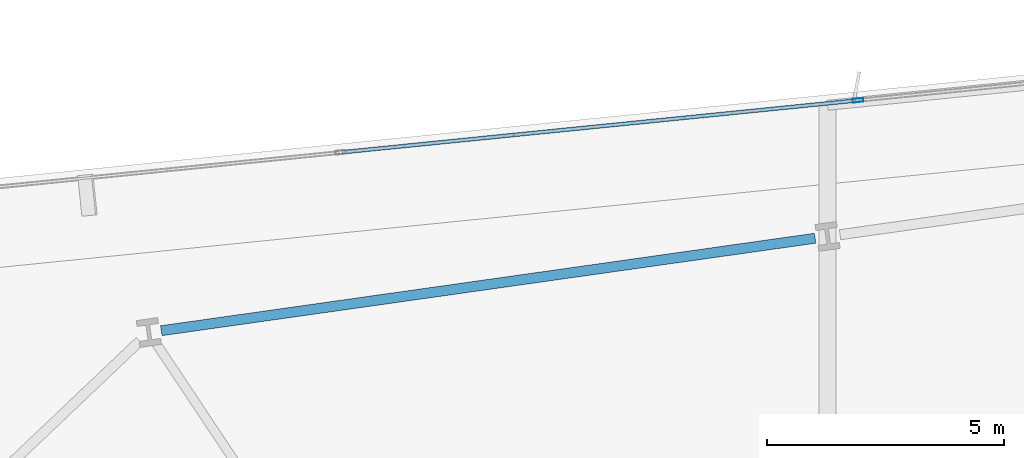
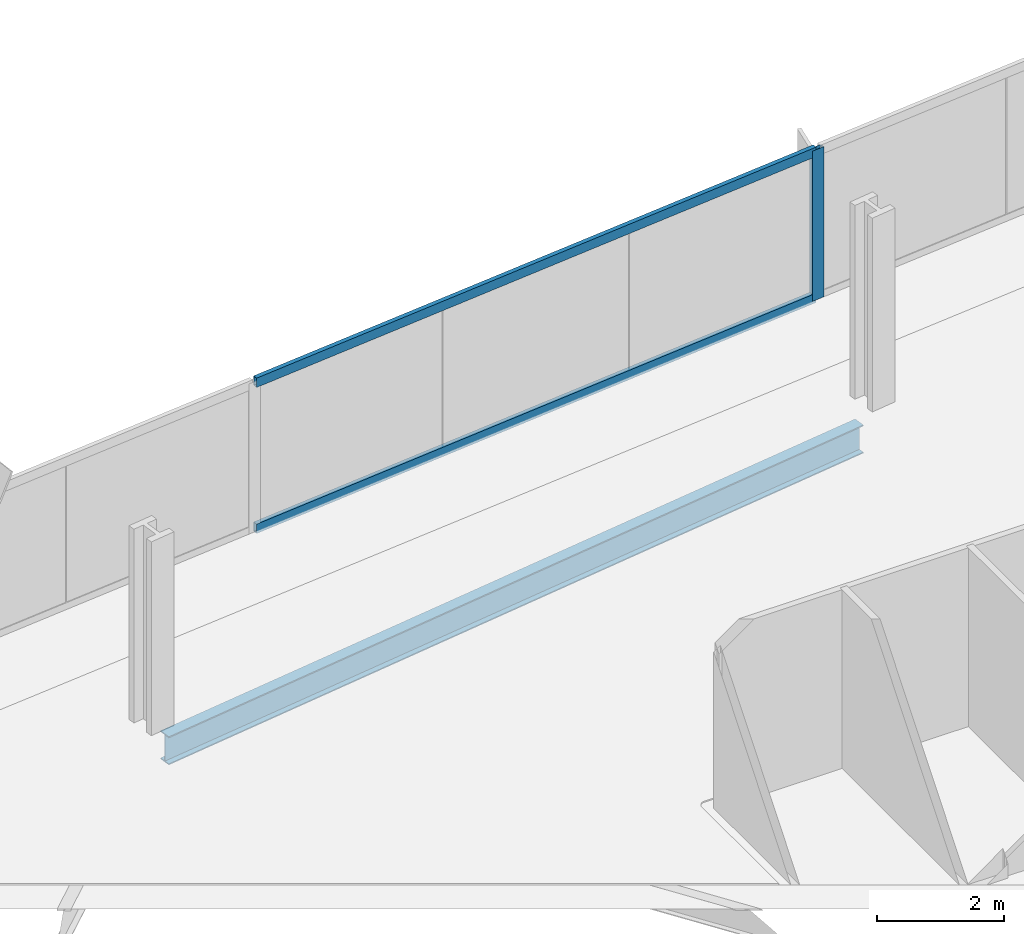
# One storey, part 19 of 33: 3 members, 1 beam, 1 element without a shape of its own.
"""IFC4 building model written with IfcOpenShell, lengths in metres."""

from ifc_helpers import new_model, si_unit, direction, frame, origin, origin_2d, place, context, subcontext, project, spatial, hollow_rectangle, i_section, extrude, material, material_profile, profile_set, type_object, element, aggregate, save


model = new_model("IFC4")

# Units and contexts
model_context = context("Model", 3, precision=1e-05, world=origin(), true_north=direction((0.0, 1.0)))
body_context = subcontext(model_context, "Body", "Model", "MODEL_VIEW")
ifc_project = project(units=[si_unit("LENGTHUNIT", "METRE"), si_unit("AREAUNIT", "SQUARE_METRE"), si_unit("VOLUMEUNIT", "CUBIC_METRE"), si_unit("PLANEANGLEUNIT", "RADIAN"), si_unit("MASSUNIT", "GRAM", prefix="KILO")], contexts=[model_context])

# Site, building, storey
site_placement = place(None, origin())
site = spatial("IfcSite", under=ifc_project, at=site_placement, CompositionType="ELEMENT")
building_placement = place(site_placement, origin())
building = spatial("IfcBuilding", under=site, at=building_placement, Name="Haldenkirk Collegiate Tower", CompositionType="ELEMENT")
storey_placement = place(building_placement, frame((0.0, 0.0, 47.699951171875)))
storey = spatial("IfcBuildingStorey", under=building, at=storey_placement, Name="L10", CompositionType="ELEMENT", Elevation=47.699951171875)

# Beam
ifc_material_1 = material(Name="Steel ASTM A992 Grade 50", Category="steel")
ifc_material_profile_1 = material_profile(ifc_material_1, i_section(OverallWidth=0.2119140625, OverallDepth=0.5439453125, WebThickness=0.01318359375, FlangeThickness=0.021240234375, at=origin_2d()), Name="W21X83")
ifc_profile_set_1 = profile_set([ifc_material_profile_1], Name="Steel ASTM A992 Grade 50")
beam_type = type_object("IfcBeamType", Name="BM-SPANDREL-W21X83", PredefinedType="SPANDREL", material=ifc_profile_set_1)
beam_placement = place(storey_placement, frame((32.51025390625, 48.785888671875, -0.58203125), z_axis=(-0.990146197746, -0.14003752029, 0.0), x_axis=(0.14003752029, -0.990146197746, 0.0)))
element("IfcBeam", 1, at=beam_placement, inside=storey, type_object=beam_type, Name="L10 perimeter spandrel beam 11", PredefinedType="SPANDREL", context=body_context, shape_type="SweptSolid", body=[
    extrude(i_section(OverallWidth=0.2119140625, OverallDepth=0.5439453125, WebThickness=0.01318359375, FlangeThickness=0.021240234375, at=origin_2d()), origin(), (0.0, 0.0, 1.0), 13.906982421875),
])

# Curtain wall, members
ifc_material_2 = material(Name="Anodised architectural bronze aluminium", Category="aluminium")
curtain_wall_type = type_object("IfcCurtainWallType", Name="CW-SYS1-CONVEX-LOW", PredefinedType="USERDEFINED", material=ifc_material_2)
curtain_wall_placement = place(storey_placement, origin())
curtain_wall = element("IfcCurtainWall", 2, at=curtain_wall_placement, inside=storey, type_object=curtain_wall_type, Name="L10 Lower tower convex bronze-framed unitised curtain wall", ObjectType="UNITISED CURTAIN WALL", PredefinedType="USERDEFINED")
ifc_material_profile_2 = material_profile(ifc_material_2, hollow_rectangle(XDim=0.080078125, YDim=0.219970703125, WallThickness=0.0048828125, at=origin_2d()), Name="CW-MUL-1A")
ifc_profile_set_2 = profile_set([ifc_material_profile_2], Name="Anodised architectural bronze aluminium")
member_type_1 = type_object("IfcMemberType", Name="CW-MUL-1A", PredefinedType="MULLION", material=ifc_profile_set_2)
member_1_placement = place(storey_placement, frame((33.4130859375, 51.690185546875, 0.0), z_axis=(0.0, 0.0, 1.0), x_axis=(-0.100187271136, 0.994968597847, 0.0)))
member_1 = element("IfcMember", 3, at=member_1_placement, type_object=member_type_1, Name="CW-1A mullion 3", PredefinedType="MULLION", context=body_context, shape_type="SweptSolid", body=[
    extrude(hollow_rectangle(XDim=0.080078125, YDim=0.219970703125, WallThickness=0.0048828125, at=origin_2d()), origin(), (0.0, 0.0, 1.0), 2.89111328125),
])
ifc_material_profile_3 = material_profile(ifc_material_2, hollow_rectangle(XDim=0.080078125, YDim=0.179931640625, WallThickness=0.0048828125, at=origin_2d()), Name="CW-TRN-1A")
ifc_profile_set_3 = profile_set([ifc_material_profile_3], Name="Anodised architectural bronze aluminium")
member_type_2 = type_object("IfcMemberType", Name="CW-TRN-1A", PredefinedType="USERDEFINED", material=ifc_profile_set_3)
member_2_placement = place(storey_placement, frame((22.55810546875, 50.59716796875, 0.0400390625), z_axis=(0.994970028847, 0.10017305873, 0.0), x_axis=(-0.10017305873, 0.994970028847, 0.0)))
member_2 = element("IfcMember", 4, at=member_2_placement, type_object=member_type_2, Name="CW-1A transom 2.1", ObjectType="TRANSOM", PredefinedType="USERDEFINED", context=body_context, shape_type="SweptSolid", body=[
    extrude(hollow_rectangle(XDim=0.080078125, YDim=0.179931640625, WallThickness=0.0048828125, at=origin_2d()), origin(), (0.0, 0.0, 1.0), 10.869873046875),
])
member_3_placement = place(storey_placement, frame((22.55810546875, 50.59716796875, 2.85107421875), z_axis=(0.994970028847, 0.10017305873, 0.0), x_axis=(-0.10017305873, 0.994970028847, 0.0)))
member_3 = element("IfcMember", 5, at=member_3_placement, type_object=member_type_2, Name="CW-1A transom 2.2", ObjectType="TRANSOM", PredefinedType="USERDEFINED", context=body_context, shape_type="SweptSolid", body=[
    extrude(hollow_rectangle(XDim=0.080078125, YDim=0.179931640625, WallThickness=0.0048828125, at=origin_2d()), origin(), (0.0, 0.0, 1.0), 10.869873046875),
])
aggregate(curtain_wall, [member_1, member_2, member_3])

save(model, "model.ifc")
